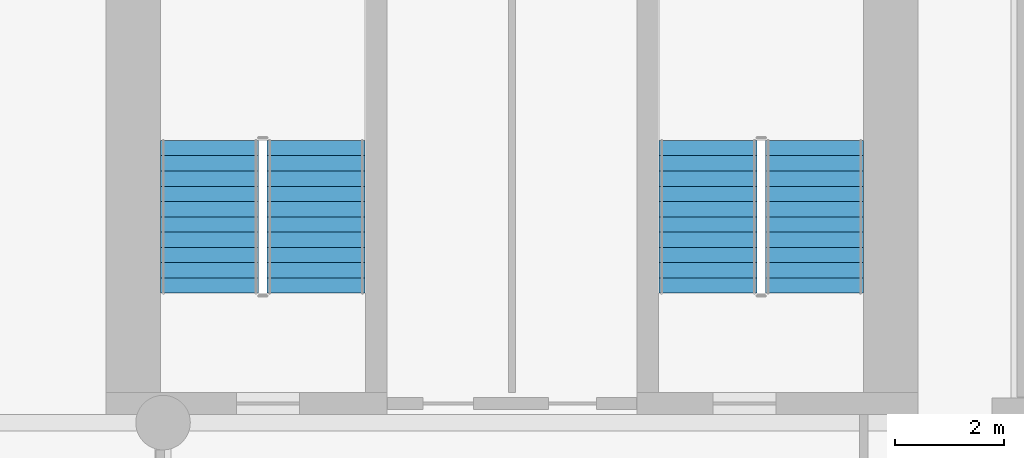
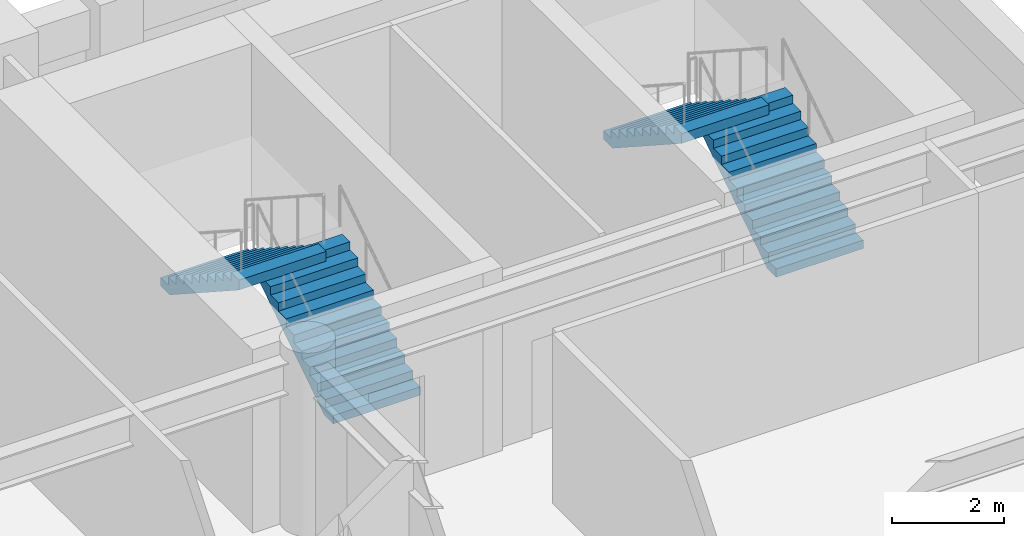
# One storey, part 6 of 8: 4 stair flights, 2 elements without a shape of their own.
"""IFC4 building model written with IfcOpenShell, lengths in metres."""

from ifc_helpers import new_model, si_unit, direction, frame, origin, place, context, subcontext, project, spatial, polyline, outline, extrude, material, type_object, element, aggregate, save


model = new_model("IFC4")

# Units and contexts
model_context = context("Model", 3, precision=1e-05, world=origin(), true_north=direction((0.0, 1.0)))
body_context = subcontext(model_context, "Body", "Model", "MODEL_VIEW")
ifc_project = project(units=[si_unit("LENGTHUNIT", "METRE"), si_unit("AREAUNIT", "SQUARE_METRE"), si_unit("VOLUMEUNIT", "CUBIC_METRE"), si_unit("PLANEANGLEUNIT", "RADIAN"), si_unit("MASSUNIT", "GRAM", prefix="KILO")], contexts=[model_context])

# Site, building, storey
site_placement = place(None, origin())
site = spatial("IfcSite", under=ifc_project, at=site_placement, CompositionType="ELEMENT")
building_placement = place(site_placement, origin())
building = spatial("IfcBuilding", under=site, at=building_placement, Name="Sulina Concourse Tower", CompositionType="ELEMENT")
storey_placement = place(building_placement, frame((0.0, 0.0, 70.60009765625)))
storey = spatial("IfcBuildingStorey", under=building, at=storey_placement, Name="L17", CompositionType="ELEMENT", Elevation=70.60009765625)

# Stair, stair flights
ifc_material_1 = material(Name="Concrete C50/60", Category="concrete")
stair_type = type_object("IfcStairType", Name="Portal & Podium Core Exit Stair 1820mm", PredefinedType="HALF_TURN_STAIR", material=ifc_material_1)
stair_1_placement = place(storey_placement, origin())
stair_1 = element("IfcStair", 1, at=stair_1_placement, inside=storey, type_object=stair_type, Name="L17 ST-3", PredefinedType="HALF_TURN_STAIR")
ifc_material_2 = material(Name="Concrete C50/60", Category="concrete")
stair_flight_type = type_object("IfcStairFlightType", Name="Portal & Podium Core Exit Stair 1820mm Flight", PredefinedType="STRAIGHT", material=ifc_material_2)
stair_flight_1_placement = place(storey_placement, frame((44.405029296875, 36.375, 0.0), z_axis=(0.0, 0.0, 1.0), x_axis=(0.0, 1.0, 0.0)))
stair_flight_1 = element("IfcStairFlight", 2, at=stair_flight_1_placement, type_object=stair_flight_type, Name="ST-3 flight 1", NumberOfRisers=11, NumberOfTreads=10, PredefinedType="STRAIGHT", RiserHeight=0.181818182, TreadLength=0.28, context=body_context, shape_type="SweptSolid", body=[
    extrude(outline(polyline([(0.0, 0.0), (0.0, 0.181884765625), (0.280029296875, 0.181884765625), (0.280029296875, 0.363525390625), (0.56005859375, 0.363525390625), (0.56005859375, 0.54541015625), (0.840087890625, 0.54541015625), (0.840087890625, 0.727294921875), (1.1201171875, 0.727294921875), (1.1201171875, 0.9091796875), (1.39990234375, 0.9091796875), (1.39990234375, 1.0908203125), (1.679931640625, 1.0908203125), (1.679931640625, 1.272705078125), (1.9599609375, 1.272705078125), (1.9599609375, 1.45458984375), (2.239990234375, 1.45458984375), (2.239990234375, 1.636474609375), (2.52001953125, 1.636474609375), (2.52001953125, 1.818115234375), (2.800048828125, 1.818115234375), (2.800048828125, 2.0), (2.800048828125, 1.603759765625), (0.330322265625, 0.0), (0.0, 0.0)])), frame((0.0, 0.89990234375, 0.0), z_axis=(0.0, -1.0, 0.0), x_axis=(1.0, 0.0, 0.0)), (0.0, 0.0, 1.0), 1.800048828125),
])
stair_flight_2_placement = place(storey_placement, frame((42.455078125, 39.175048828125, 2.0), z_axis=(0.0, 0.0, 1.0), x_axis=(0.0, -1.0, 0.0)))
stair_flight_2 = element("IfcStairFlight", 3, at=stair_flight_2_placement, type_object=stair_flight_type, Name="ST-3 flight 2", NumberOfRisers=11, NumberOfTreads=10, PredefinedType="STRAIGHT", RiserHeight=0.181818182, TreadLength=0.28, context=body_context, shape_type="SweptSolid", body=[
    extrude(outline(polyline([(0.0, 0.0), (0.0, 0.181884765625), (0.280029296875, 0.181884765625), (0.280029296875, 0.363525390625), (0.56005859375, 0.363525390625), (0.56005859375, 0.54541015625), (0.840087890625, 0.54541015625), (0.840087890625, 0.727294921875), (1.1201171875, 0.727294921875), (1.1201171875, 0.9091796875), (1.39990234375, 0.9091796875), (1.39990234375, 1.0908203125), (1.679931640625, 1.0908203125), (1.679931640625, 1.272705078125), (1.9599609375, 1.272705078125), (1.9599609375, 1.45458984375), (2.239990234375, 1.45458984375), (2.239990234375, 1.636474609375), (2.52001953125, 1.636474609375), (2.52001953125, 1.818115234375), (2.800048828125, 1.818115234375), (2.800048828125, 2.0), (2.800048828125, 1.603759765625), (0.330322265625, 0.0), (0.0, 0.0)])), frame((0.0, 0.89990234375, 0.0), z_axis=(0.0, -1.0, 0.0), x_axis=(1.0, 0.0, 0.0)), (0.0, 0.0, 1.0), 1.800048828125),
])
aggregate(stair_1, [stair_flight_1, stair_flight_2])

stair_2_placement = place(storey_placement, origin())
stair_2 = element("IfcStair", 4, at=stair_2_placement, inside=storey, type_object=stair_type, Name="L17 ST-4", PredefinedType="HALF_TURN_STAIR")
stair_flight_3_placement = place(storey_placement, frame((53.544921875, 36.375, 0.0), z_axis=(0.0, 0.0, 1.0), x_axis=(0.0, 1.0, 0.0)))
stair_flight_3 = element("IfcStairFlight", 5, at=stair_flight_3_placement, type_object=stair_flight_type, Name="ST-4 flight 1", NumberOfRisers=11, NumberOfTreads=10, PredefinedType="STRAIGHT", RiserHeight=0.181818182, TreadLength=0.28, context=body_context, shape_type="SweptSolid", body=[
    extrude(outline(polyline([(0.0, 0.0), (0.0, 0.181884765625), (0.280029296875, 0.181884765625), (0.280029296875, 0.363525390625), (0.56005859375, 0.363525390625), (0.56005859375, 0.54541015625), (0.840087890625, 0.54541015625), (0.840087890625, 0.727294921875), (1.1201171875, 0.727294921875), (1.1201171875, 0.9091796875), (1.39990234375, 0.9091796875), (1.39990234375, 1.0908203125), (1.679931640625, 1.0908203125), (1.679931640625, 1.272705078125), (1.9599609375, 1.272705078125), (1.9599609375, 1.45458984375), (2.239990234375, 1.45458984375), (2.239990234375, 1.636474609375), (2.52001953125, 1.636474609375), (2.52001953125, 1.818115234375), (2.800048828125, 1.818115234375), (2.800048828125, 2.0), (2.800048828125, 1.603759765625), (0.330322265625, 0.0), (0.0, 0.0)])), frame((0.0, 0.89990234375, 0.0), z_axis=(0.0, -1.0, 0.0), x_axis=(1.0, 0.0, 0.0)), (0.0, 0.0, 1.0), 1.800048828125),
])
stair_flight_4_placement = place(storey_placement, frame((51.594970703125, 39.175048828125, 2.0), z_axis=(0.0, 0.0, 1.0), x_axis=(0.0, -1.0, 0.0)))
stair_flight_4 = element("IfcStairFlight", 6, at=stair_flight_4_placement, type_object=stair_flight_type, Name="ST-4 flight 2", NumberOfRisers=11, NumberOfTreads=10, PredefinedType="STRAIGHT", RiserHeight=0.181818182, TreadLength=0.28, context=body_context, shape_type="SweptSolid", body=[
    extrude(outline(polyline([(0.0, 0.0), (0.0, 0.181884765625), (0.280029296875, 0.181884765625), (0.280029296875, 0.363525390625), (0.56005859375, 0.363525390625), (0.56005859375, 0.54541015625), (0.840087890625, 0.54541015625), (0.840087890625, 0.727294921875), (1.1201171875, 0.727294921875), (1.1201171875, 0.9091796875), (1.39990234375, 0.9091796875), (1.39990234375, 1.0908203125), (1.679931640625, 1.0908203125), (1.679931640625, 1.272705078125), (1.9599609375, 1.272705078125), (1.9599609375, 1.45458984375), (2.239990234375, 1.45458984375), (2.239990234375, 1.636474609375), (2.52001953125, 1.636474609375), (2.52001953125, 1.818115234375), (2.800048828125, 1.818115234375), (2.800048828125, 2.0), (2.800048828125, 1.603759765625), (0.330322265625, 0.0), (0.0, 0.0)])), frame((0.0, 0.89990234375, 0.0), z_axis=(0.0, -1.0, 0.0), x_axis=(1.0, 0.0, 0.0)), (0.0, 0.0, 1.0), 1.800048828125),
])
aggregate(stair_2, [stair_flight_3, stair_flight_4])

save(model, "model.ifc")
